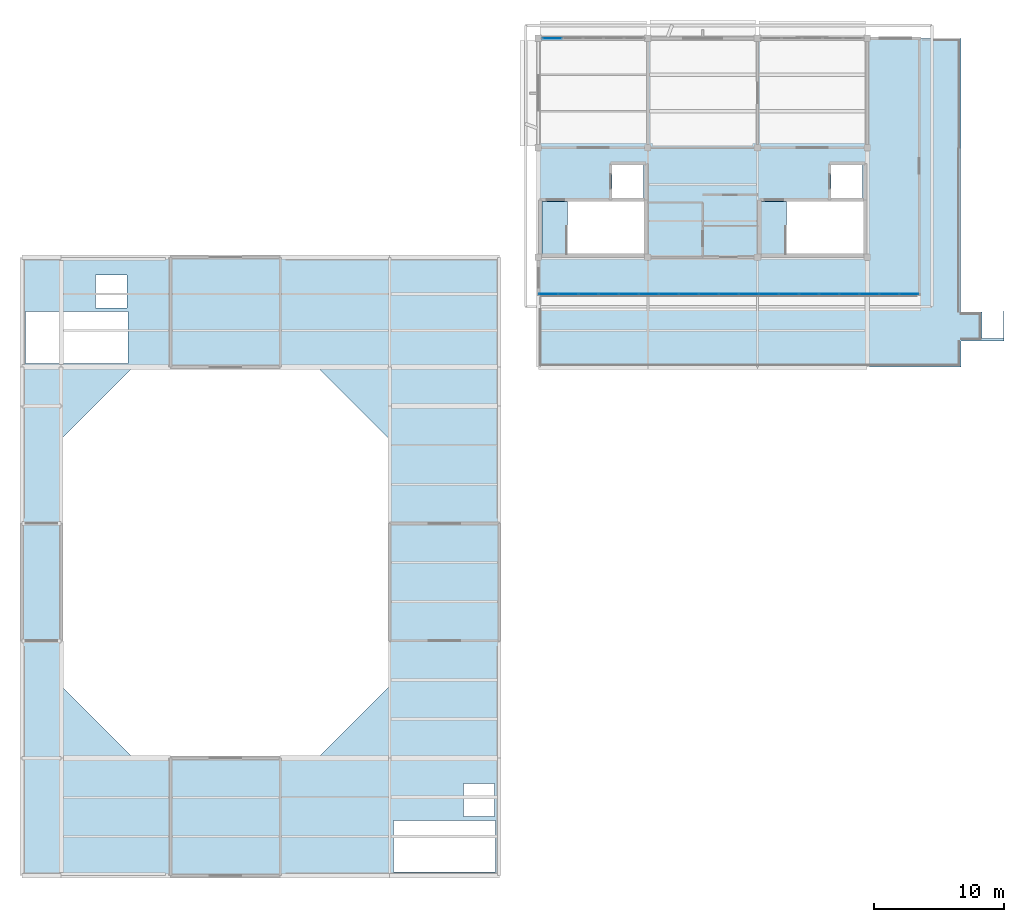
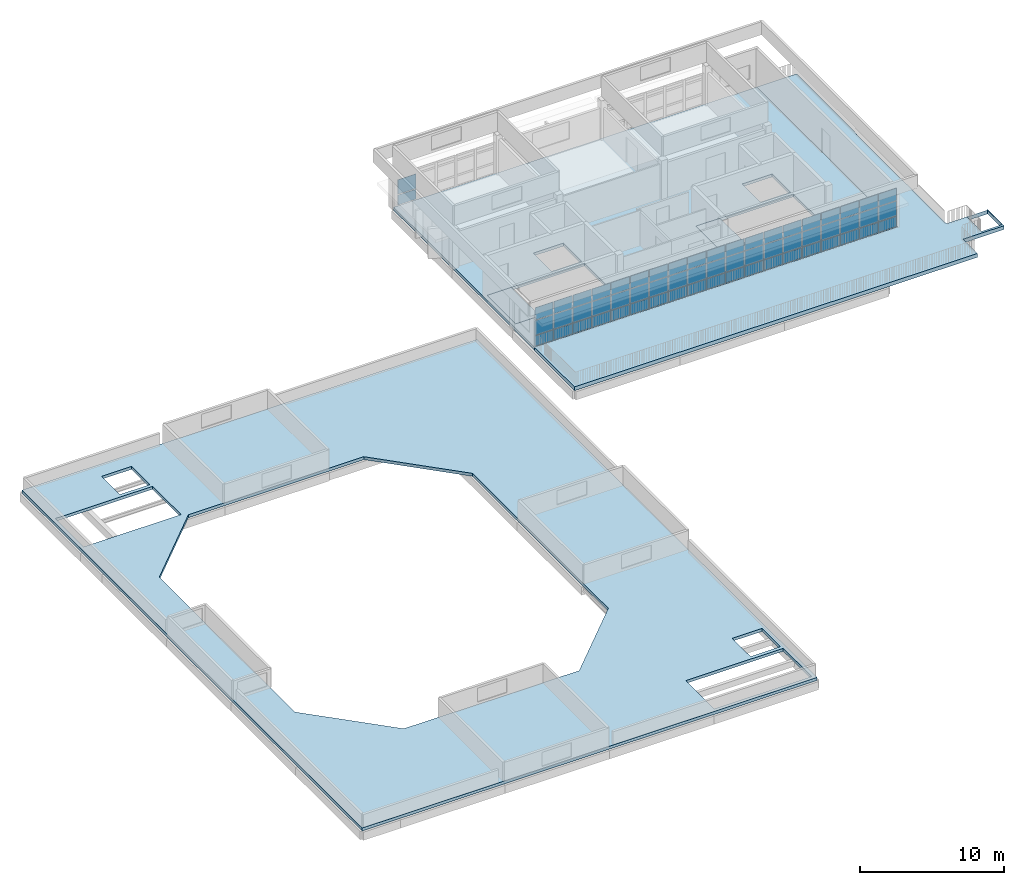
# One storey, part 6 of 14: 59 plates, 5 slabs, 2 elements without a shape of their own.
"""IFC4 building model written with IfcOpenShell, lengths in metres."""

from ifc_helpers import new_model, si_unit, direction, frame, origin, origin_2d, place, context, subcontext, project, spatial, polyline, rectangle, outline, extrude, material, layer, layer_set, type_object, element, aggregate, save


model = new_model("IFC4")

# Units and contexts
model_context = context("Model", 3, precision=1e-05, world=origin(), true_north=direction((0.0, 1.0)))
body_context = subcontext(model_context, "Body", "Model", "MODEL_VIEW")
ifc_project = project(units=[si_unit("LENGTHUNIT", "METRE"), si_unit("AREAUNIT", "SQUARE_METRE"), si_unit("VOLUMEUNIT", "CUBIC_METRE"), si_unit("PLANEANGLEUNIT", "RADIAN"), si_unit("MASSUNIT", "GRAM", prefix="KILO")], contexts=[model_context])

# Site, building, storey
site_placement = place(None, origin())
site = spatial("IfcSite", under=ifc_project, at=site_placement, CompositionType="ELEMENT")
building_placement = place(site_placement, origin())
building = spatial("IfcBuilding", under=site, at=building_placement, Name="Vanh Quang Courtyard School", CompositionType="ELEMENT")
storey_placement = place(building_placement, frame((0.0, 0.0, 22.199951171875)))
storey = spatial("IfcBuildingStorey", under=building, at=storey_placement, Name="L06", CompositionType="ELEMENT", Elevation=22.199951171875)

# Curtain wall, plates
ifc_material_1 = material(Name="Thermally broken aluminium unitised curtain wall", Category="aluminium")
curtain_wall_type_1 = type_object("IfcCurtainWallType", Name="CW-SYS-23", PredefinedType="NOTDEFINED", material=ifc_material_1)
curtain_wall_1_placement = place(storey_placement, origin())
curtain_wall_1 = element("IfcCurtainWall", 1, at=curtain_wall_1_placement, inside=storey, type_object=curtain_wall_type_1, Name="Curtain Wall CW-23 (L06)", PredefinedType="NOTDEFINED")
ifc_material_2 = material(Name="Low-E laminated double glazing", Category="glass")
ifc_layer_1 = layer(ifc_material_2, 0.028076171875)
ifc_layer_set_1 = layer_set([ifc_layer_1], Name="Low-E laminated double glazing")
plate_type_1 = type_object("IfcPlateType", Name="CW-PNL-28", PredefinedType="CURTAIN_PANEL", material=ifc_layer_set_1)
plate_1_placement = place(storey_placement, frame((78.4638671875, 96.60009765625, 0.06982421875), z_axis=(0.0, 0.0, 1.0), x_axis=(1.0, 0.0, 0.0)))
plate_1 = element("IfcPlate", 2, at=plate_1_placement, type_object=plate_type_1, Name="CW-23 panel 1.1", PredefinedType="CURTAIN_PANEL", context=body_context, shape_type="SweptSolid", body=[
    extrude(rectangle(XDim=1.4716796875, YDim=0.028076171875, at=origin_2d()), origin(), (0.0, 0.0, 1.0), 0.844970703125),
])
plate_2_placement = place(storey_placement, frame((78.4638671875, 96.60009765625, 0.985107421875), z_axis=(0.0, 0.0, 1.0), x_axis=(1.0, 0.0, 0.0)))
plate_2 = element("IfcPlate", 3, at=plate_2_placement, type_object=plate_type_1, Name="CW-23 panel 1.2", PredefinedType="CURTAIN_PANEL", context=body_context, shape_type="SweptSolid", body=[
    extrude(rectangle(XDim=1.4716796875, YDim=0.028076171875, at=origin_2d()), origin(), (0.0, 0.0, 1.0), 1.22998046875),
])
aggregate(curtain_wall_1, [plate_1, plate_2])

curtain_wall_type_2 = type_object("IfcCurtainWallType", Name="CW-SYS-69", PredefinedType="NOTDEFINED", material=ifc_material_1)
curtain_wall_2_placement = place(storey_placement, origin())
curtain_wall_2 = element("IfcCurtainWall", 4, at=curtain_wall_2_placement, inside=storey, type_object=curtain_wall_type_2, Name="Curtain Wall CW-69 (L06)", PredefinedType="NOTDEFINED")
ifc_layer_2 = layer(ifc_material_2, 0.031982421875)
ifc_layer_set_2 = layer_set([ifc_layer_2], Name="Low-E laminated double glazing")
plate_type_2 = type_object("IfcPlateType", Name="CW-PNL-32", PredefinedType="CURTAIN_PANEL", material=ifc_layer_set_2)
plate_3_placement = place(storey_placement, frame((105.816650390625, 77.0, 0.06005859375), z_axis=(0.0, 0.0, 1.0), x_axis=(-1.0, 0.0, 0.0)))
plate_3 = element("IfcPlate", 5, at=plate_3_placement, type_object=plate_type_2, Name="CW-69 panel 1.1", PredefinedType="CURTAIN_PANEL", context=body_context, shape_type="SweptSolid", body=[
    extrude(rectangle(XDim=1.44677734375, YDim=0.031982421875, at=origin_2d()), origin(), (0.0, 0.0, 1.0), 0.860107421875),
])
plate_4_placement = place(storey_placement, frame((105.816650390625, 77.0, 0.97998046875), z_axis=(0.0, 0.0, 1.0), x_axis=(-1.0, 0.0, 0.0)))
plate_4 = element("IfcPlate", 6, at=plate_4_placement, type_object=plate_type_2, Name="CW-69 panel 1.2", PredefinedType="CURTAIN_PANEL", context=body_context, shape_type="SweptSolid", body=[
    extrude(rectangle(XDim=1.44677734375, YDim=0.031982421875, at=origin_2d()), origin(), (0.0, 0.0, 1.0), 1.239990234375),
])
plate_5_placement = place(storey_placement, frame((105.816650390625, 77.0, 2.280029296875), z_axis=(0.0, 0.0, 1.0), x_axis=(-1.0, 0.0, 0.0)))
plate_5 = element("IfcPlate", 7, at=plate_5_placement, type_object=plate_type_2, Name="CW-69 panel 1.3", PredefinedType="CURTAIN_PANEL", context=body_context, shape_type="SweptSolid", body=[
    extrude(rectangle(XDim=1.44677734375, YDim=0.031982421875, at=origin_2d()), origin(), (0.0, 0.0, 1.0), 1.0400390625),
])
plate_6_placement = place(storey_placement, frame((104.294677734375, 77.0, 0.06005859375), z_axis=(0.0, 0.0, 1.0), x_axis=(-1.0, 0.0, 0.0)))
plate_6 = element("IfcPlate", 8, at=plate_6_placement, type_object=plate_type_2, Name="CW-69 panel 2.1", PredefinedType="CURTAIN_PANEL", context=body_context, shape_type="SweptSolid", body=[
    extrude(rectangle(XDim=1.476806640625, YDim=0.031982421875, at=origin_2d()), origin(), (0.0, 0.0, 1.0), 0.860107421875),
])
plate_7_placement = place(storey_placement, frame((104.294677734375, 77.0, 0.97998046875), z_axis=(0.0, 0.0, 1.0), x_axis=(-1.0, 0.0, 0.0)))
plate_7 = element("IfcPlate", 9, at=plate_7_placement, type_object=plate_type_2, Name="CW-69 panel 2.2", PredefinedType="CURTAIN_PANEL", context=body_context, shape_type="SweptSolid", body=[
    extrude(rectangle(XDim=1.476806640625, YDim=0.031982421875, at=origin_2d()), origin(), (0.0, 0.0, 1.0), 1.239990234375),
])
plate_8_placement = place(storey_placement, frame((104.294677734375, 77.0, 2.280029296875), z_axis=(0.0, 0.0, 1.0), x_axis=(-1.0, 0.0, 0.0)))
plate_8 = element("IfcPlate", 10, at=plate_8_placement, type_object=plate_type_2, Name="CW-69 panel 2.3", PredefinedType="CURTAIN_PANEL", context=body_context, shape_type="SweptSolid", body=[
    extrude(rectangle(XDim=1.476806640625, YDim=0.031982421875, at=origin_2d()), origin(), (0.0, 0.0, 1.0), 1.0400390625),
])
plate_9_placement = place(storey_placement, frame((102.7578125, 77.0, 0.06005859375), z_axis=(0.0, 0.0, 1.0), x_axis=(-1.0, 0.0, 0.0)))
plate_9 = element("IfcPlate", 11, at=plate_9_placement, type_object=plate_type_2, Name="CW-69 panel 3.1", PredefinedType="CURTAIN_PANEL", context=body_context, shape_type="SweptSolid", body=[
    extrude(rectangle(XDim=1.476806640625, YDim=0.031982421875, at=origin_2d()), origin(), (0.0, 0.0, 1.0), 0.860107421875),
])
plate_10_placement = place(storey_placement, frame((102.7578125, 77.0, 0.97998046875), z_axis=(0.0, 0.0, 1.0), x_axis=(-1.0, 0.0, 0.0)))
plate_10 = element("IfcPlate", 12, at=plate_10_placement, type_object=plate_type_2, Name="CW-69 panel 3.2", PredefinedType="CURTAIN_PANEL", context=body_context, shape_type="SweptSolid", body=[
    extrude(rectangle(XDim=1.476806640625, YDim=0.031982421875, at=origin_2d()), origin(), (0.0, 0.0, 1.0), 1.239990234375),
])
plate_11_placement = place(storey_placement, frame((102.7578125, 77.0, 2.280029296875), z_axis=(0.0, 0.0, 1.0), x_axis=(-1.0, 0.0, 0.0)))
plate_11 = element("IfcPlate", 13, at=plate_11_placement, type_object=plate_type_2, Name="CW-69 panel 3.3", PredefinedType="CURTAIN_PANEL", context=body_context, shape_type="SweptSolid", body=[
    extrude(rectangle(XDim=1.476806640625, YDim=0.031982421875, at=origin_2d()), origin(), (0.0, 0.0, 1.0), 1.0400390625),
])
plate_12_placement = place(storey_placement, frame((101.220947265625, 77.0, 0.06005859375), z_axis=(0.0, 0.0, 1.0), x_axis=(-1.0, 0.0, 0.0)))
plate_12 = element("IfcPlate", 14, at=plate_12_placement, type_object=plate_type_2, Name="CW-69 panel 4.1", PredefinedType="CURTAIN_PANEL", context=body_context, shape_type="SweptSolid", body=[
    extrude(rectangle(XDim=1.476806640625, YDim=0.031982421875, at=origin_2d()), origin(), (0.0, 0.0, 1.0), 0.860107421875),
])
plate_13_placement = place(storey_placement, frame((101.220947265625, 77.0, 0.97998046875), z_axis=(0.0, 0.0, 1.0), x_axis=(-1.0, 0.0, 0.0)))
plate_13 = element("IfcPlate", 15, at=plate_13_placement, type_object=plate_type_2, Name="CW-69 panel 4.2", PredefinedType="CURTAIN_PANEL", context=body_context, shape_type="SweptSolid", body=[
    extrude(rectangle(XDim=1.476806640625, YDim=0.031982421875, at=origin_2d()), origin(), (0.0, 0.0, 1.0), 1.239990234375),
])
plate_14_placement = place(storey_placement, frame((101.220947265625, 77.0, 2.280029296875), z_axis=(0.0, 0.0, 1.0), x_axis=(-1.0, 0.0, 0.0)))
plate_14 = element("IfcPlate", 16, at=plate_14_placement, type_object=plate_type_2, Name="CW-69 panel 4.3", PredefinedType="CURTAIN_PANEL", context=body_context, shape_type="SweptSolid", body=[
    extrude(rectangle(XDim=1.476806640625, YDim=0.031982421875, at=origin_2d()), origin(), (0.0, 0.0, 1.0), 1.0400390625),
])
plate_15_placement = place(storey_placement, frame((99.684326171875, 77.0, 0.06005859375), z_axis=(0.0, 0.0, 1.0), x_axis=(-1.0, 0.0, 0.0)))
plate_15 = element("IfcPlate", 17, at=plate_15_placement, type_object=plate_type_2, Name="CW-69 panel 5.1", PredefinedType="CURTAIN_PANEL", context=body_context, shape_type="SweptSolid", body=[
    extrude(rectangle(XDim=1.476806640625, YDim=0.031982421875, at=origin_2d()), origin(), (0.0, 0.0, 1.0), 0.860107421875),
])
plate_16_placement = place(storey_placement, frame((99.684326171875, 77.0, 0.97998046875), z_axis=(0.0, 0.0, 1.0), x_axis=(-1.0, 0.0, 0.0)))
plate_16 = element("IfcPlate", 18, at=plate_16_placement, type_object=plate_type_2, Name="CW-69 panel 5.2", PredefinedType="CURTAIN_PANEL", context=body_context, shape_type="SweptSolid", body=[
    extrude(rectangle(XDim=1.476806640625, YDim=0.031982421875, at=origin_2d()), origin(), (0.0, 0.0, 1.0), 1.239990234375),
])
plate_17_placement = place(storey_placement, frame((99.684326171875, 77.0, 2.280029296875), z_axis=(0.0, 0.0, 1.0), x_axis=(-1.0, 0.0, 0.0)))
plate_17 = element("IfcPlate", 19, at=plate_17_placement, type_object=plate_type_2, Name="CW-69 panel 5.3", PredefinedType="CURTAIN_PANEL", context=body_context, shape_type="SweptSolid", body=[
    extrude(rectangle(XDim=1.476806640625, YDim=0.031982421875, at=origin_2d()), origin(), (0.0, 0.0, 1.0), 1.0400390625),
])
plate_18_placement = place(storey_placement, frame((98.1474609375, 77.0, 0.06005859375), z_axis=(0.0, 0.0, 1.0), x_axis=(-1.0, 0.0, 0.0)))
plate_18 = element("IfcPlate", 20, at=plate_18_placement, type_object=plate_type_2, Name="CW-69 panel 6.1", PredefinedType="CURTAIN_PANEL", context=body_context, shape_type="SweptSolid", body=[
    extrude(rectangle(XDim=1.476806640625, YDim=0.031982421875, at=origin_2d()), origin(), (0.0, 0.0, 1.0), 0.860107421875),
])
plate_19_placement = place(storey_placement, frame((98.1474609375, 77.0, 0.97998046875), z_axis=(0.0, 0.0, 1.0), x_axis=(-1.0, 0.0, 0.0)))
plate_19 = element("IfcPlate", 21, at=plate_19_placement, type_object=plate_type_2, Name="CW-69 panel 6.2", PredefinedType="CURTAIN_PANEL", context=body_context, shape_type="SweptSolid", body=[
    extrude(rectangle(XDim=1.476806640625, YDim=0.031982421875, at=origin_2d()), origin(), (0.0, 0.0, 1.0), 1.239990234375),
])
plate_20_placement = place(storey_placement, frame((98.1474609375, 77.0, 2.280029296875), z_axis=(0.0, 0.0, 1.0), x_axis=(-1.0, 0.0, 0.0)))
plate_20 = element("IfcPlate", 22, at=plate_20_placement, type_object=plate_type_2, Name="CW-69 panel 6.3", PredefinedType="CURTAIN_PANEL", context=body_context, shape_type="SweptSolid", body=[
    extrude(rectangle(XDim=1.476806640625, YDim=0.031982421875, at=origin_2d()), origin(), (0.0, 0.0, 1.0), 1.0400390625),
])
plate_21_placement = place(storey_placement, frame((96.610595703125, 77.0, 0.06005859375), z_axis=(0.0, 0.0, 1.0), x_axis=(-1.0, 0.0, 0.0)))
plate_21 = element("IfcPlate", 23, at=plate_21_placement, type_object=plate_type_2, Name="CW-69 panel 7.1", PredefinedType="CURTAIN_PANEL", context=body_context, shape_type="SweptSolid", body=[
    extrude(rectangle(XDim=1.476806640625, YDim=0.031982421875, at=origin_2d()), origin(), (0.0, 0.0, 1.0), 0.860107421875),
])
plate_22_placement = place(storey_placement, frame((96.610595703125, 77.0, 0.97998046875), z_axis=(0.0, 0.0, 1.0), x_axis=(-1.0, 0.0, 0.0)))
plate_22 = element("IfcPlate", 24, at=plate_22_placement, type_object=plate_type_2, Name="CW-69 panel 7.2", PredefinedType="CURTAIN_PANEL", context=body_context, shape_type="SweptSolid", body=[
    extrude(rectangle(XDim=1.476806640625, YDim=0.031982421875, at=origin_2d()), origin(), (0.0, 0.0, 1.0), 1.239990234375),
])
plate_23_placement = place(storey_placement, frame((96.610595703125, 77.0, 2.280029296875), z_axis=(0.0, 0.0, 1.0), x_axis=(-1.0, 0.0, 0.0)))
plate_23 = element("IfcPlate", 25, at=plate_23_placement, type_object=plate_type_2, Name="CW-69 panel 7.3", PredefinedType="CURTAIN_PANEL", context=body_context, shape_type="SweptSolid", body=[
    extrude(rectangle(XDim=1.476806640625, YDim=0.031982421875, at=origin_2d()), origin(), (0.0, 0.0, 1.0), 1.0400390625),
])
plate_24_placement = place(storey_placement, frame((95.07373046875, 77.0, 0.06005859375), z_axis=(0.0, 0.0, 1.0), x_axis=(-1.0, 0.0, 0.0)))
plate_24 = element("IfcPlate", 26, at=plate_24_placement, type_object=plate_type_2, Name="CW-69 panel 8.1", PredefinedType="CURTAIN_PANEL", context=body_context, shape_type="SweptSolid", body=[
    extrude(rectangle(XDim=1.476806640625, YDim=0.031982421875, at=origin_2d()), origin(), (0.0, 0.0, 1.0), 0.860107421875),
])
plate_25_placement = place(storey_placement, frame((95.07373046875, 77.0, 0.97998046875), z_axis=(0.0, 0.0, 1.0), x_axis=(-1.0, 0.0, 0.0)))
plate_25 = element("IfcPlate", 27, at=plate_25_placement, type_object=plate_type_2, Name="CW-69 panel 8.2", PredefinedType="CURTAIN_PANEL", context=body_context, shape_type="SweptSolid", body=[
    extrude(rectangle(XDim=1.476806640625, YDim=0.031982421875, at=origin_2d()), origin(), (0.0, 0.0, 1.0), 1.239990234375),
])
plate_26_placement = place(storey_placement, frame((95.07373046875, 77.0, 2.280029296875), z_axis=(0.0, 0.0, 1.0), x_axis=(-1.0, 0.0, 0.0)))
plate_26 = element("IfcPlate", 28, at=plate_26_placement, type_object=plate_type_2, Name="CW-69 panel 8.3", PredefinedType="CURTAIN_PANEL", context=body_context, shape_type="SweptSolid", body=[
    extrude(rectangle(XDim=1.476806640625, YDim=0.031982421875, at=origin_2d()), origin(), (0.0, 0.0, 1.0), 1.0400390625),
])
plate_27_placement = place(storey_placement, frame((93.536865234375, 77.0, 0.06005859375), z_axis=(0.0, 0.0, 1.0), x_axis=(-1.0, 0.0, 0.0)))
plate_27 = element("IfcPlate", 29, at=plate_27_placement, type_object=plate_type_2, Name="CW-69 panel 9.1", PredefinedType="CURTAIN_PANEL", context=body_context, shape_type="SweptSolid", body=[
    extrude(rectangle(XDim=1.476806640625, YDim=0.031982421875, at=origin_2d()), origin(), (0.0, 0.0, 1.0), 0.860107421875),
])
plate_28_placement = place(storey_placement, frame((93.536865234375, 77.0, 0.97998046875), z_axis=(0.0, 0.0, 1.0), x_axis=(-1.0, 0.0, 0.0)))
plate_28 = element("IfcPlate", 30, at=plate_28_placement, type_object=plate_type_2, Name="CW-69 panel 9.2", PredefinedType="CURTAIN_PANEL", context=body_context, shape_type="SweptSolid", body=[
    extrude(rectangle(XDim=1.476806640625, YDim=0.031982421875, at=origin_2d()), origin(), (0.0, 0.0, 1.0), 1.239990234375),
])
plate_29_placement = place(storey_placement, frame((93.536865234375, 77.0, 2.280029296875), z_axis=(0.0, 0.0, 1.0), x_axis=(-1.0, 0.0, 0.0)))
plate_29 = element("IfcPlate", 31, at=plate_29_placement, type_object=plate_type_2, Name="CW-69 panel 9.3", PredefinedType="CURTAIN_PANEL", context=body_context, shape_type="SweptSolid", body=[
    extrude(rectangle(XDim=1.476806640625, YDim=0.031982421875, at=origin_2d()), origin(), (0.0, 0.0, 1.0), 1.0400390625),
])
plate_30_placement = place(storey_placement, frame((92.0, 77.0, 0.06005859375), z_axis=(0.0, 0.0, 1.0), x_axis=(-1.0, 0.0, 0.0)))
plate_30 = element("IfcPlate", 32, at=plate_30_placement, type_object=plate_type_2, Name="CW-69 panel 10.1", PredefinedType="CURTAIN_PANEL", context=body_context, shape_type="SweptSolid", body=[
    extrude(rectangle(XDim=1.476806640625, YDim=0.031982421875, at=origin_2d()), origin(), (0.0, 0.0, 1.0), 0.860107421875),
])
plate_31_placement = place(storey_placement, frame((92.0, 77.0, 0.97998046875), z_axis=(0.0, 0.0, 1.0), x_axis=(-1.0, 0.0, 0.0)))
plate_31 = element("IfcPlate", 33, at=plate_31_placement, type_object=plate_type_2, Name="CW-69 panel 10.2", PredefinedType="CURTAIN_PANEL", context=body_context, shape_type="SweptSolid", body=[
    extrude(rectangle(XDim=1.476806640625, YDim=0.031982421875, at=origin_2d()), origin(), (0.0, 0.0, 1.0), 1.239990234375),
])
plate_32_placement = place(storey_placement, frame((92.0, 77.0, 2.280029296875), z_axis=(0.0, 0.0, 1.0), x_axis=(-1.0, 0.0, 0.0)))
plate_32 = element("IfcPlate", 34, at=plate_32_placement, type_object=plate_type_2, Name="CW-69 panel 10.3", PredefinedType="CURTAIN_PANEL", context=body_context, shape_type="SweptSolid", body=[
    extrude(rectangle(XDim=1.476806640625, YDim=0.031982421875, at=origin_2d()), origin(), (0.0, 0.0, 1.0), 1.0400390625),
])
plate_33_placement = place(storey_placement, frame((90.463134765625, 77.0, 0.06005859375), z_axis=(0.0, 0.0, 1.0), x_axis=(-1.0, 0.0, 0.0)))
plate_33 = element("IfcPlate", 35, at=plate_33_placement, type_object=plate_type_2, Name="CW-69 panel 11.1", PredefinedType="CURTAIN_PANEL", context=body_context, shape_type="SweptSolid", body=[
    extrude(rectangle(XDim=1.476806640625, YDim=0.031982421875, at=origin_2d()), origin(), (0.0, 0.0, 1.0), 0.860107421875),
])
plate_34_placement = place(storey_placement, frame((90.463134765625, 77.0, 0.97998046875), z_axis=(0.0, 0.0, 1.0), x_axis=(-1.0, 0.0, 0.0)))
plate_34 = element("IfcPlate", 36, at=plate_34_placement, type_object=plate_type_2, Name="CW-69 panel 11.2", PredefinedType="CURTAIN_PANEL", context=body_context, shape_type="SweptSolid", body=[
    extrude(rectangle(XDim=1.476806640625, YDim=0.031982421875, at=origin_2d()), origin(), (0.0, 0.0, 1.0), 1.239990234375),
])
plate_35_placement = place(storey_placement, frame((90.463134765625, 77.0, 2.280029296875), z_axis=(0.0, 0.0, 1.0), x_axis=(-1.0, 0.0, 0.0)))
plate_35 = element("IfcPlate", 37, at=plate_35_placement, type_object=plate_type_2, Name="CW-69 panel 11.3", PredefinedType="CURTAIN_PANEL", context=body_context, shape_type="SweptSolid", body=[
    extrude(rectangle(XDim=1.476806640625, YDim=0.031982421875, at=origin_2d()), origin(), (0.0, 0.0, 1.0), 1.0400390625),
])
plate_36_placement = place(storey_placement, frame((88.92626953125, 77.0, 0.06005859375), z_axis=(0.0, 0.0, 1.0), x_axis=(-1.0, 0.0, 0.0)))
plate_36 = element("IfcPlate", 38, at=plate_36_placement, type_object=plate_type_2, Name="CW-69 panel 12.1", PredefinedType="CURTAIN_PANEL", context=body_context, shape_type="SweptSolid", body=[
    extrude(rectangle(XDim=1.476806640625, YDim=0.031982421875, at=origin_2d()), origin(), (0.0, 0.0, 1.0), 0.860107421875),
])
plate_37_placement = place(storey_placement, frame((88.92626953125, 77.0, 0.97998046875), z_axis=(0.0, 0.0, 1.0), x_axis=(-1.0, 0.0, 0.0)))
plate_37 = element("IfcPlate", 39, at=plate_37_placement, type_object=plate_type_2, Name="CW-69 panel 12.2", PredefinedType="CURTAIN_PANEL", context=body_context, shape_type="SweptSolid", body=[
    extrude(rectangle(XDim=1.476806640625, YDim=0.031982421875, at=origin_2d()), origin(), (0.0, 0.0, 1.0), 1.239990234375),
])
plate_38_placement = place(storey_placement, frame((88.92626953125, 77.0, 2.280029296875), z_axis=(0.0, 0.0, 1.0), x_axis=(-1.0, 0.0, 0.0)))
plate_38 = element("IfcPlate", 40, at=plate_38_placement, type_object=plate_type_2, Name="CW-69 panel 12.3", PredefinedType="CURTAIN_PANEL", context=body_context, shape_type="SweptSolid", body=[
    extrude(rectangle(XDim=1.476806640625, YDim=0.031982421875, at=origin_2d()), origin(), (0.0, 0.0, 1.0), 1.0400390625),
])
plate_39_placement = place(storey_placement, frame((87.389404296875, 77.0, 0.06005859375), z_axis=(0.0, 0.0, 1.0), x_axis=(-1.0, 0.0, 0.0)))
plate_39 = element("IfcPlate", 41, at=plate_39_placement, type_object=plate_type_2, Name="CW-69 panel 13.1", PredefinedType="CURTAIN_PANEL", context=body_context, shape_type="SweptSolid", body=[
    extrude(rectangle(XDim=1.476806640625, YDim=0.031982421875, at=origin_2d()), origin(), (0.0, 0.0, 1.0), 0.860107421875),
])
plate_40_placement = place(storey_placement, frame((87.389404296875, 77.0, 0.97998046875), z_axis=(0.0, 0.0, 1.0), x_axis=(-1.0, 0.0, 0.0)))
plate_40 = element("IfcPlate", 42, at=plate_40_placement, type_object=plate_type_2, Name="CW-69 panel 13.2", PredefinedType="CURTAIN_PANEL", context=body_context, shape_type="SweptSolid", body=[
    extrude(rectangle(XDim=1.476806640625, YDim=0.031982421875, at=origin_2d()), origin(), (0.0, 0.0, 1.0), 1.239990234375),
])
plate_41_placement = place(storey_placement, frame((87.389404296875, 77.0, 2.280029296875), z_axis=(0.0, 0.0, 1.0), x_axis=(-1.0, 0.0, 0.0)))
plate_41 = element("IfcPlate", 43, at=plate_41_placement, type_object=plate_type_2, Name="CW-69 panel 13.3", PredefinedType="CURTAIN_PANEL", context=body_context, shape_type="SweptSolid", body=[
    extrude(rectangle(XDim=1.476806640625, YDim=0.031982421875, at=origin_2d()), origin(), (0.0, 0.0, 1.0), 1.0400390625),
])
plate_42_placement = place(storey_placement, frame((85.8525390625, 77.0, 0.06005859375), z_axis=(0.0, 0.0, 1.0), x_axis=(-1.0, 0.0, 0.0)))
plate_42 = element("IfcPlate", 44, at=plate_42_placement, type_object=plate_type_2, Name="CW-69 panel 14.1", PredefinedType="CURTAIN_PANEL", context=body_context, shape_type="SweptSolid", body=[
    extrude(rectangle(XDim=1.476806640625, YDim=0.031982421875, at=origin_2d()), origin(), (0.0, 0.0, 1.0), 0.860107421875),
])
plate_43_placement = place(storey_placement, frame((85.8525390625, 77.0, 0.97998046875), z_axis=(0.0, 0.0, 1.0), x_axis=(-1.0, 0.0, 0.0)))
plate_43 = element("IfcPlate", 45, at=plate_43_placement, type_object=plate_type_2, Name="CW-69 panel 14.2", PredefinedType="CURTAIN_PANEL", context=body_context, shape_type="SweptSolid", body=[
    extrude(rectangle(XDim=1.476806640625, YDim=0.031982421875, at=origin_2d()), origin(), (0.0, 0.0, 1.0), 1.239990234375),
])
plate_44_placement = place(storey_placement, frame((85.8525390625, 77.0, 2.280029296875), z_axis=(0.0, 0.0, 1.0), x_axis=(-1.0, 0.0, 0.0)))
plate_44 = element("IfcPlate", 46, at=plate_44_placement, type_object=plate_type_2, Name="CW-69 panel 14.3", PredefinedType="CURTAIN_PANEL", context=body_context, shape_type="SweptSolid", body=[
    extrude(rectangle(XDim=1.476806640625, YDim=0.031982421875, at=origin_2d()), origin(), (0.0, 0.0, 1.0), 1.0400390625),
])
plate_45_placement = place(storey_placement, frame((84.315673828125, 77.0, 0.06005859375), z_axis=(0.0, 0.0, 1.0), x_axis=(-1.0, 0.0, 0.0)))
plate_45 = element("IfcPlate", 47, at=plate_45_placement, type_object=plate_type_2, Name="CW-69 panel 15.1", PredefinedType="CURTAIN_PANEL", context=body_context, shape_type="SweptSolid", body=[
    extrude(rectangle(XDim=1.476806640625, YDim=0.031982421875, at=origin_2d()), origin(), (0.0, 0.0, 1.0), 0.860107421875),
])
plate_46_placement = place(storey_placement, frame((84.315673828125, 77.0, 0.97998046875), z_axis=(0.0, 0.0, 1.0), x_axis=(-1.0, 0.0, 0.0)))
plate_46 = element("IfcPlate", 48, at=plate_46_placement, type_object=plate_type_2, Name="CW-69 panel 15.2", PredefinedType="CURTAIN_PANEL", context=body_context, shape_type="SweptSolid", body=[
    extrude(rectangle(XDim=1.476806640625, YDim=0.031982421875, at=origin_2d()), origin(), (0.0, 0.0, 1.0), 1.239990234375),
])
plate_47_placement = place(storey_placement, frame((84.315673828125, 77.0, 2.280029296875), z_axis=(0.0, 0.0, 1.0), x_axis=(-1.0, 0.0, 0.0)))
plate_47 = element("IfcPlate", 49, at=plate_47_placement, type_object=plate_type_2, Name="CW-69 panel 15.3", PredefinedType="CURTAIN_PANEL", context=body_context, shape_type="SweptSolid", body=[
    extrude(rectangle(XDim=1.476806640625, YDim=0.031982421875, at=origin_2d()), origin(), (0.0, 0.0, 1.0), 1.0400390625),
])
plate_48_placement = place(storey_placement, frame((82.779052734375, 77.0, 0.06005859375), z_axis=(0.0, 0.0, 1.0), x_axis=(-1.0, 0.0, 0.0)))
plate_48 = element("IfcPlate", 50, at=plate_48_placement, type_object=plate_type_2, Name="CW-69 panel 16.1", PredefinedType="CURTAIN_PANEL", context=body_context, shape_type="SweptSolid", body=[
    extrude(rectangle(XDim=1.476806640625, YDim=0.031982421875, at=origin_2d()), origin(), (0.0, 0.0, 1.0), 0.860107421875),
])
plate_49_placement = place(storey_placement, frame((82.779052734375, 77.0, 0.97998046875), z_axis=(0.0, 0.0, 1.0), x_axis=(-1.0, 0.0, 0.0)))
plate_49 = element("IfcPlate", 51, at=plate_49_placement, type_object=plate_type_2, Name="CW-69 panel 16.2", PredefinedType="CURTAIN_PANEL", context=body_context, shape_type="SweptSolid", body=[
    extrude(rectangle(XDim=1.476806640625, YDim=0.031982421875, at=origin_2d()), origin(), (0.0, 0.0, 1.0), 1.239990234375),
])
plate_50_placement = place(storey_placement, frame((82.779052734375, 77.0, 2.280029296875), z_axis=(0.0, 0.0, 1.0), x_axis=(-1.0, 0.0, 0.0)))
plate_50 = element("IfcPlate", 52, at=plate_50_placement, type_object=plate_type_2, Name="CW-69 panel 16.3", PredefinedType="CURTAIN_PANEL", context=body_context, shape_type="SweptSolid", body=[
    extrude(rectangle(XDim=1.476806640625, YDim=0.031982421875, at=origin_2d()), origin(), (0.0, 0.0, 1.0), 1.0400390625),
])
plate_51_placement = place(storey_placement, frame((81.2421875, 77.0, 0.06005859375), z_axis=(0.0, 0.0, 1.0), x_axis=(-1.0, 0.0, 0.0)))
plate_51 = element("IfcPlate", 53, at=plate_51_placement, type_object=plate_type_2, Name="CW-69 panel 17.1", PredefinedType="CURTAIN_PANEL", context=body_context, shape_type="SweptSolid", body=[
    extrude(rectangle(XDim=1.476806640625, YDim=0.031982421875, at=origin_2d()), origin(), (0.0, 0.0, 1.0), 0.860107421875),
])
plate_52_placement = place(storey_placement, frame((81.2421875, 77.0, 0.97998046875), z_axis=(0.0, 0.0, 1.0), x_axis=(-1.0, 0.0, 0.0)))
plate_52 = element("IfcPlate", 54, at=plate_52_placement, type_object=plate_type_2, Name="CW-69 panel 17.2", PredefinedType="CURTAIN_PANEL", context=body_context, shape_type="SweptSolid", body=[
    extrude(rectangle(XDim=1.476806640625, YDim=0.031982421875, at=origin_2d()), origin(), (0.0, 0.0, 1.0), 1.239990234375),
])
plate_53_placement = place(storey_placement, frame((81.2421875, 77.0, 2.280029296875), z_axis=(0.0, 0.0, 1.0), x_axis=(-1.0, 0.0, 0.0)))
plate_53 = element("IfcPlate", 55, at=plate_53_placement, type_object=plate_type_2, Name="CW-69 panel 17.3", PredefinedType="CURTAIN_PANEL", context=body_context, shape_type="SweptSolid", body=[
    extrude(rectangle(XDim=1.476806640625, YDim=0.031982421875, at=origin_2d()), origin(), (0.0, 0.0, 1.0), 1.0400390625),
])
plate_54_placement = place(storey_placement, frame((79.705322265625, 77.0, 0.06005859375), z_axis=(0.0, 0.0, 1.0), x_axis=(-1.0, 0.0, 0.0)))
plate_54 = element("IfcPlate", 56, at=plate_54_placement, type_object=plate_type_2, Name="CW-69 panel 18.1", PredefinedType="CURTAIN_PANEL", context=body_context, shape_type="SweptSolid", body=[
    extrude(rectangle(XDim=1.476806640625, YDim=0.031982421875, at=origin_2d()), origin(), (0.0, 0.0, 1.0), 0.860107421875),
])
plate_55_placement = place(storey_placement, frame((79.705322265625, 77.0, 0.97998046875), z_axis=(0.0, 0.0, 1.0), x_axis=(-1.0, 0.0, 0.0)))
plate_55 = element("IfcPlate", 57, at=plate_55_placement, type_object=plate_type_2, Name="CW-69 panel 18.2", PredefinedType="CURTAIN_PANEL", context=body_context, shape_type="SweptSolid", body=[
    extrude(rectangle(XDim=1.476806640625, YDim=0.031982421875, at=origin_2d()), origin(), (0.0, 0.0, 1.0), 1.239990234375),
])
plate_56_placement = place(storey_placement, frame((79.705322265625, 77.0, 2.280029296875), z_axis=(0.0, 0.0, 1.0), x_axis=(-1.0, 0.0, 0.0)))
plate_56 = element("IfcPlate", 58, at=plate_56_placement, type_object=plate_type_2, Name="CW-69 panel 18.3", PredefinedType="CURTAIN_PANEL", context=body_context, shape_type="SweptSolid", body=[
    extrude(rectangle(XDim=1.476806640625, YDim=0.031982421875, at=origin_2d()), origin(), (0.0, 0.0, 1.0), 1.0400390625),
])
plate_57_placement = place(storey_placement, frame((78.183349609375, 77.0, 0.06005859375), z_axis=(0.0, 0.0, 1.0), x_axis=(-1.0, 0.0, 0.0)))
plate_57 = element("IfcPlate", 59, at=plate_57_placement, type_object=plate_type_2, Name="CW-69 panel 19.1", PredefinedType="CURTAIN_PANEL", context=body_context, shape_type="SweptSolid", body=[
    extrude(rectangle(XDim=1.44677734375, YDim=0.031982421875, at=origin_2d()), origin(), (0.0, 0.0, 1.0), 0.860107421875),
])
plate_58_placement = place(storey_placement, frame((78.183349609375, 77.0, 0.97998046875), z_axis=(0.0, 0.0, 1.0), x_axis=(-1.0, 0.0, 0.0)))
plate_58 = element("IfcPlate", 60, at=plate_58_placement, type_object=plate_type_2, Name="CW-69 panel 19.2", PredefinedType="CURTAIN_PANEL", context=body_context, shape_type="SweptSolid", body=[
    extrude(rectangle(XDim=1.44677734375, YDim=0.031982421875, at=origin_2d()), origin(), (0.0, 0.0, 1.0), 1.239990234375),
])
plate_59_placement = place(storey_placement, frame((78.183349609375, 77.0, 2.280029296875), z_axis=(0.0, 0.0, 1.0), x_axis=(-1.0, 0.0, 0.0)))
plate_59 = element("IfcPlate", 61, at=plate_59_placement, type_object=plate_type_2, Name="CW-69 panel 19.3", PredefinedType="CURTAIN_PANEL", context=body_context, shape_type="SweptSolid", body=[
    extrude(rectangle(XDim=1.44677734375, YDim=0.031982421875, at=origin_2d()), origin(), (0.0, 0.0, 1.0), 1.0400390625),
])
aggregate(curtain_wall_2, [plate_3, plate_4, plate_5, plate_6, plate_7, plate_8, plate_9, plate_10, plate_11, plate_12, plate_13, plate_14, plate_15, plate_16, plate_17, plate_18, plate_19, plate_20, plate_21, plate_22, plate_23, plate_24, plate_25, plate_26, plate_27, plate_28, plate_29, plate_30, plate_31, plate_32, plate_33, plate_34, plate_35, plate_36, plate_37, plate_38, plate_39, plate_40, plate_41, plate_42, plate_43, plate_44, plate_45, plate_46, plate_47, plate_48, plate_49, plate_50, plate_51, plate_52, plate_53, plate_54, plate_55, plate_56, plate_57, plate_58, plate_59])

# Slabs
ifc_material_3 = material(Name="Concrete C30/37", Category="concrete")
ifc_layer_3 = layer(ifc_material_3, 0.25)
ifc_layer_set_3 = layer_set([ifc_layer_3], Name="Concrete C30/37")
slab_type_1 = type_object("IfcSlabType", Name="SLB-FLR-250", PredefinedType="FLOOR", material=ifc_layer_set_3)
slab_1_placement = place(storey_placement, frame((0.0, 0.0, -0.25)))
element("IfcSlab", 62, at=slab_1_placement, inside=storey, type_object=slab_type_1, Name="Slab SF-04 (L06)", PredefinedType="FLOOR", context=body_context, shape_type="SweptSolid", body=[
    extrude(outline(polyline([(77.39990234375, 96.60009765625), (77.39990234375, 77.0), (106.60009765625, 77.0), (106.60009765625, 96.60009765625), (77.39990234375, 96.60009765625)]), holes=[polyline([(77.679931640625, 84.080078125), (85.52001953125, 84.080078125), (85.52001953125, 80.080078125), (77.679931640625, 80.080078125), (77.679931640625, 84.080078125)]), polyline([(94.47998046875, 84.080078125), (102.320068359375, 84.080078125), (102.320068359375, 80.080078125), (94.47998046875, 80.080078125), (94.47998046875, 84.080078125)]), polyline([(85.449951171875, 86.909912109375), (85.449951171875, 84.360107421875), (83.050048828125, 84.360107421875), (83.050048828125, 86.909912109375), (85.449951171875, 86.909912109375)]), polyline([(102.25, 86.909912109375), (102.25, 84.360107421875), (99.85009765625, 84.360107421875), (99.85009765625, 86.909912109375), (102.25, 86.909912109375)])]), origin(), (0.0, 0.0, 1.0), 0.25),
])
ifc_layer_4 = layer(ifc_material_3, 0.280029296875)
ifc_layer_set_4 = layer_set([ifc_layer_4], Name="Concrete C30/37")
slab_type_2 = type_object("IfcSlabType", Name="SLB-FLR-280", PredefinedType="FLOOR", material=ifc_layer_set_4)
slab_2_placement = place(storey_placement, frame((0.0, 0.0, -0.280029296875)))
element("IfcSlab", 63, at=slab_2_placement, inside=storey, type_object=slab_type_2, Name="Slab SF-02 (L06)", PredefinedType="FLOOR", context=body_context, shape_type="SweptSolid", body=[
    extrude(outline(polyline([(79.6298828125, 80.080078125), (77.679931640625, 80.080078125), (77.679931640625, 84.080078125), (79.6298828125, 84.080078125), (79.6298828125, 80.080078125)])), origin(), (0.0, 0.0, 1.0), 0.280029296875),
])
slab_3_placement = place(storey_placement, frame((0.0, 0.0, -0.280029296875)))
element("IfcSlab", 64, at=slab_3_placement, inside=storey, type_object=slab_type_2, Name="Slab SF-02 (L06)", PredefinedType="FLOOR", context=body_context, shape_type="SweptSolid", body=[
    extrude(outline(polyline([(96.429931640625, 80.080078125), (94.47998046875, 80.080078125), (94.47998046875, 84.080078125), (96.429931640625, 84.080078125), (96.429931640625, 80.080078125)])), origin(), (0.0, 0.0, 1.0), 0.280029296875),
])
ifc_material_4 = material(Name="Concrete C35/45", Category="concrete")
ifc_layer_5 = layer(ifc_material_4, 0.320068359375)
ifc_layer_set_5 = layer_set([ifc_layer_5], Name="Concrete C35/45")
slab_type_3 = type_object("IfcSlabType", Name="SLB-PDK-320", PredefinedType="FLOOR", material=ifc_layer_set_5)
slab_4_placement = place(storey_placement, frame((0.0, 0.0, -0.320068359375)))
element("IfcSlab", 65, at=slab_4_placement, inside=storey, type_object=slab_type_3, Name="Slab SP-01 (L06)", PredefinedType="FLOOR", context=body_context, shape_type="SweptSolid", body=[
    extrude(outline(polyline([(109.800048828125, 71.39990234375), (109.800048828125, 73.39990234375), (113.10009765625, 73.39990234375), (113.10009765625, 75.699951171875), (113.080078125, 75.699951171875), (113.080078125, 75.6201171875), (109.75, 75.6201171875), (109.75, 88.14990234375), (109.800048828125, 88.14990234375), (109.800048828125, 96.60009765625), (106.60009765625, 96.60009765625), (106.60009765625, 77.0), (77.39990234375, 77.0), (77.39990234375, 71.39990234375), (109.800048828125, 71.39990234375)]), holes=[polyline([(111.419921875, 73.5849609375), (111.408447265625, 73.590576171875), (111.405029296875, 73.60009765625), (111.405029296875, 75.60009765625), (111.410400390625, 75.611572265625), (111.419921875, 75.614990234375), (113.0400390625, 75.614990234375), (113.051513671875, 75.609619140625), (113.054931640625, 75.60009765625), (113.054931640625, 73.60009765625), (113.050537109375, 73.58935546875), (113.0400390625, 73.5849609375), (111.419921875, 73.5849609375)])]), origin(), (0.0, 0.0, 1.0), 0.320068359375),
])
ifc_layer_6 = layer(ifc_material_4, 0.25)
ifc_layer_set_6 = layer_set([ifc_layer_6], Name="Concrete C35/45")
slab_type_4 = type_object("IfcSlabType", Name="SLB-ROOF-250", PredefinedType="ROOF", material=ifc_layer_set_6)
slab_5_placement = place(storey_placement, frame((0.0, 0.0, -0.25)))
element("IfcSlab", 66, at=slab_5_placement, inside=storey, type_object=slab_type_4, Name="Slab SR-05 (L06)", PredefinedType="ROOF", context=body_context, shape_type="SweptSolid", body=[
    extrude(outline(polyline([(37.800048828125, 32.39990234375), (74.39990234375, 32.39990234375), (74.39990234375, 79.800048828125), (37.800048828125, 79.800048828125), (37.800048828125, 32.39990234375)]), holes=[polyline([(46.343994140625, 41.39990234375), (40.800048828125, 46.944091796875), (40.800048828125, 65.85595703125), (46.343994140625, 71.39990234375), (60.4560546875, 71.39990234375), (66.0, 65.85595703125), (66.0, 46.944091796875), (60.4560546875, 41.39990234375), (46.343994140625, 41.39990234375)]), polyline([(74.1201171875, 36.639892578125), (74.1201171875, 32.679931640625), (66.280029296875, 32.679931640625), (66.280029296875, 36.639892578125), (74.1201171875, 36.639892578125)]), polyline([(74.050048828125, 36.919921875), (71.64990234375, 36.919921875), (71.64990234375, 39.469970703125), (74.050048828125, 39.469970703125), (74.050048828125, 36.919921875)]), polyline([(45.919921875, 75.639892578125), (45.919921875, 71.679931640625), (38.080078125, 71.679931640625), (38.080078125, 75.639892578125), (45.919921875, 75.639892578125)]), polyline([(45.85009765625, 78.469970703125), (45.85009765625, 75.919921875), (43.449951171875, 75.919921875), (43.449951171875, 78.469970703125), (45.85009765625, 78.469970703125)])]), origin(), (0.0, 0.0, 1.0), 0.25),
])

save(model, "model.ifc")
